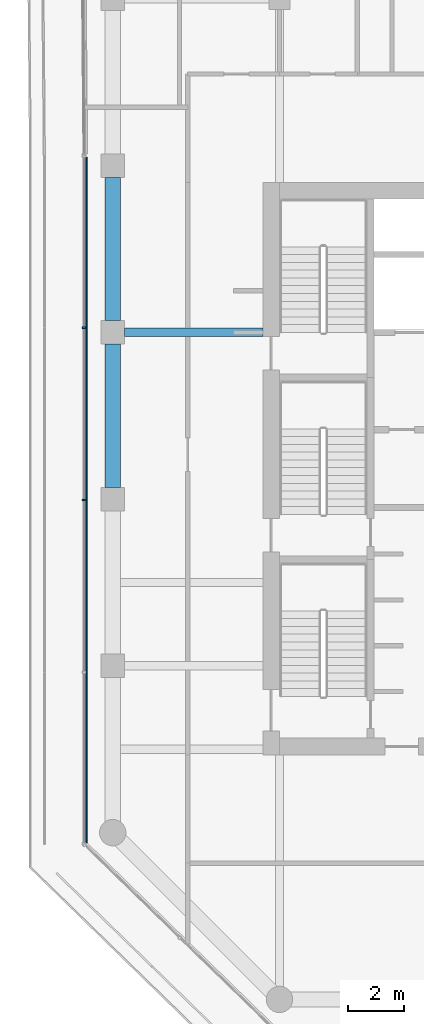
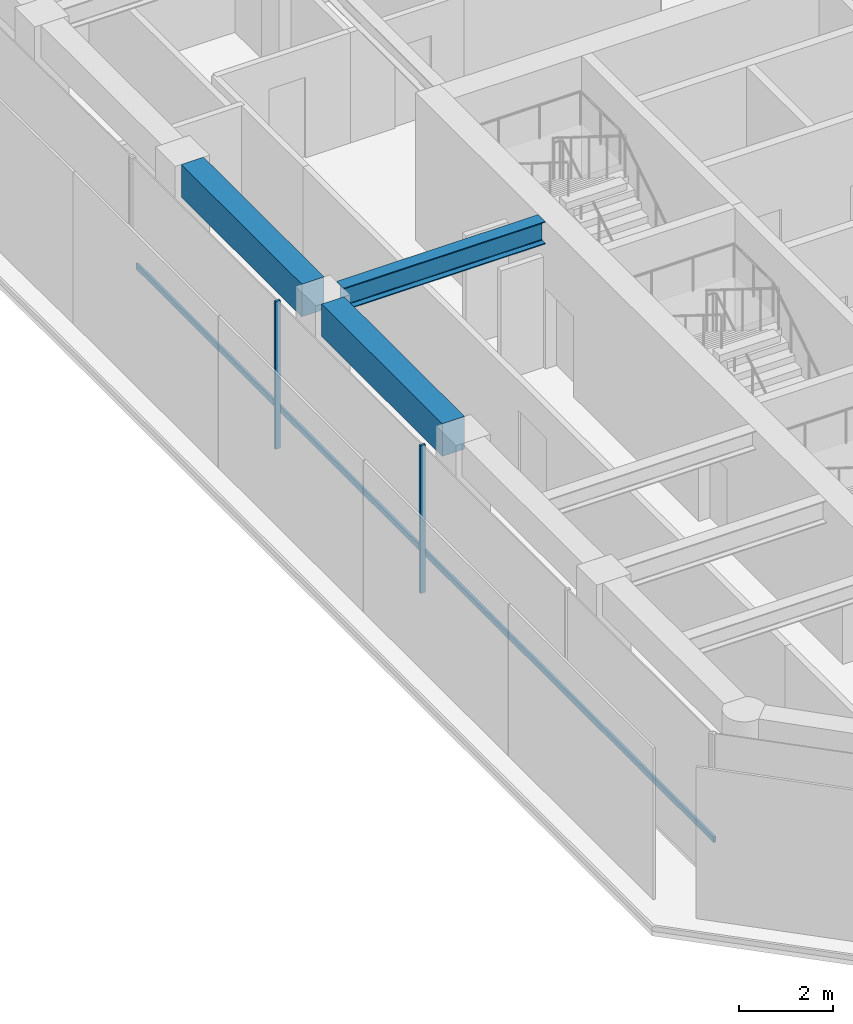
# One storey, part 4 of 19: 3 beams, 3 members, 1 element without a shape of its own.
"""IFC4 building model written with IfcOpenShell, lengths in metres."""

from ifc_helpers import new_model, si_unit, direction, frame, origin, origin_2d, place, context, subcontext, project, spatial, rectangle, i_section, extrude, material, layer, layer_set, material_profile, profile_set, type_object, element, aggregate, save


model = new_model("IFC4")

# Units and contexts
model_context = context("Model", 3, precision=1e-05, world=origin(), true_north=direction((0.0, 1.0)))
body_context = subcontext(model_context, "Body", "Model", "MODEL_VIEW")
ifc_project = project(units=[si_unit("LENGTHUNIT", "METRE"), si_unit("AREAUNIT", "SQUARE_METRE"), si_unit("VOLUMEUNIT", "CUBIC_METRE"), si_unit("PLANEANGLEUNIT", "RADIAN"), si_unit("MASSUNIT", "GRAM", prefix="KILO")], contexts=[model_context])

# Site, building, storey
site_placement = place(None, origin())
site = spatial("IfcSite", under=ifc_project, at=site_placement, CompositionType="ELEMENT")
building_placement = place(site_placement, origin())
building = spatial("IfcBuilding", under=site, at=building_placement, Name="Welwitschia Terrace Campus", CompositionType="ELEMENT")
storey_placement = place(building_placement, frame((0.0, 0.0, 171.800048828125)))
storey = spatial("IfcBuildingStorey", under=building, at=storey_placement, Name="L38", CompositionType="ELEMENT", Elevation=171.800048828125)

# Curtain wall, members
ifc_material_1 = material(Name="Bronze anodised aluminium", Category="aluminium")
ifc_layer = layer(ifc_material_1, 0.1201171875)
ifc_layer_set = layer_set([ifc_layer], Name="Bronze anodised aluminium")
curtain_wall_type = type_object("IfcCurtainWallType", Name="Curtain wall CW2 tower 6000", PredefinedType="NOTDEFINED", material=ifc_layer_set)
curtain_wall_placement = place(storey_placement, origin())
curtain_wall = element("IfcCurtainWall", 1, at=curtain_wall_placement, inside=storey, type_object=curtain_wall_type, Name="CW L38.1.0", PredefinedType="NOTDEFINED")
ifc_material_2 = material(Name="Bronze anodised aluminium", Category="aluminium")
ifc_material_profile_1 = material_profile(ifc_material_2, rectangle(XDim=0.1201171875, YDim=0.06005859375, at=origin_2d()))
ifc_profile_set_1 = profile_set([ifc_material_profile_1], Name="Bronze anodised aluminium")
member_type_1 = type_object("IfcMemberType", Name="Mullion 60x120", PredefinedType="MULLION", material=ifc_profile_set_1)
member_1_placement = place(storey_placement, frame((-1.030029296875, 20.167236328125, 0.0), z_axis=(0.0, 0.0, 1.0), x_axis=(1.0, 0.0, 0.0)))
member_1 = element("IfcMember", 2, at=member_1_placement, type_object=member_type_1, Name="Mullion L38.1.0.1", PredefinedType="MULLION", context=body_context, shape_type="SweptSolid", body=[
    extrude(rectangle(XDim=0.1201171875, YDim=0.06005859375, at=origin_2d()), origin(), (0.0, 0.0, 1.0), 3.849853515625),
])
member_2_placement = place(storey_placement, frame((-1.030029296875, 13.96923828125, 0.0), z_axis=(0.0, 0.0, 1.0), x_axis=(1.0, 0.0, 0.0)))
member_2 = element("IfcMember", 3, at=member_2_placement, type_object=member_type_1, Name="Mullion L38.1.0.2", PredefinedType="MULLION", context=body_context, shape_type="SweptSolid", body=[
    extrude(rectangle(XDim=0.1201171875, YDim=0.06005859375, at=origin_2d()), origin(), (0.0, 0.0, 1.0), 3.849853515625),
])

# Beams
ifc_material_3 = material(Name="Steel S355", Category="steel")
ifc_material_profile_2 = material_profile(ifc_material_3, i_section(OverallWidth=0.300048828125, OverallDepth=0.590087890625, WebThickness=0.012939453125, FlangeThickness=0.02490234375, FilletRadius=0.027099609375, at=origin_2d()))
ifc_profile_set_2 = profile_set([ifc_material_profile_2], Name="Steel S355")
beam_type_1 = type_object("IfcBeamType", Name="Primary beam HE 600 A", PredefinedType="BEAM", material=ifc_profile_set_2)
beam_placement = place(storey_placement, frame((0.425537109375, 20.0, 3.554931640625), z_axis=(1.0, 0.0, 0.0), x_axis=(0.0, 1.0, 0.0)))
element("IfcBeam", 4, at=beam_placement, inside=storey, type_object=beam_type_1, Name="Primary beam PB4", PredefinedType="BEAM", context=body_context, shape_type="SweptSolid", body=[
    extrude(i_section(OverallWidth=0.300048828125, OverallDepth=0.590087890625, WebThickness=0.012939453125, FlangeThickness=0.02490234375, FilletRadius=0.027099609375, at=origin_2d()), origin(), (0.0, 0.0, 1.0), 4.974365234375),
])
ifc_material_4 = material(Name="Concrete C50/60", Category="concrete")
ifc_material_profile_3 = material_profile(ifc_material_4, rectangle(XDim=0.550048828125, YDim=0.85009765625, at=origin_2d()))
ifc_profile_set_3 = profile_set([ifc_material_profile_3], Name="Concrete C50/60")
beam_type_2 = type_object("IfcBeamType", Name="Ring spandrel 550x850", PredefinedType="SPANDREL", material=ifc_profile_set_3)
for number, where, z_axis, x_axis, name in (
    (5, (0.0, 25.574462890625, 3.425048828125), (0.0, -1.0, 0.0), (1.0, 0.0, 0.0), "Spandrel SP3"),
    (6, (0.0, 19.574462890625, 3.425048828125), (0.0, -1.0, 0.0), (1.0, 0.0, 0.0), "Spandrel SP3"),
):
    element("IfcBeam", number, at=place(storey_placement, frame(where, z_axis=z_axis, x_axis=x_axis)), inside=storey, type_object=beam_type_2, Name=name, PredefinedType="SPANDREL", context=body_context, shape_type="SweptSolid", body=[
        extrude(rectangle(XDim=0.550048828125, YDim=0.85009765625, at=origin_2d()), origin(), (0.0, 0.0, 1.0), 5.14892578125),
    ])

# Member
ifc_material_5 = material(Name="Bronze anodised aluminium", Category="aluminium")
ifc_material_profile_4 = material_profile(ifc_material_5, rectangle(XDim=0.06005859375, YDim=0.14990234375, at=origin_2d()))
ifc_profile_set_4 = profile_set([ifc_material_profile_4], Name="Bronze anodised aluminium")
member_type_2 = type_object("IfcMemberType", Name="Transom 60x150", PredefinedType="USERDEFINED", material=ifc_profile_set_4)
member_3_placement = place(storey_placement, frame((-0.93994140625, 26.30517578125, 1.0), z_axis=(0.0, -1.0, 0.0), x_axis=(1.0, 0.0, 0.0)))
member_3 = element("IfcMember", 7, at=member_3_placement, type_object=member_type_2, Name="Transom L38.1.0", ObjectType="TRANSOM", PredefinedType="USERDEFINED", context=body_context, shape_type="SweptSolid", body=[
    extrude(rectangle(XDim=0.06005859375, YDim=0.14990234375, at=origin_2d()), origin(), (0.0, 0.0, 1.0), 24.672119140625),
])

aggregate(curtain_wall, [member_1, member_2, member_3])

save(model, "model.ifc")
